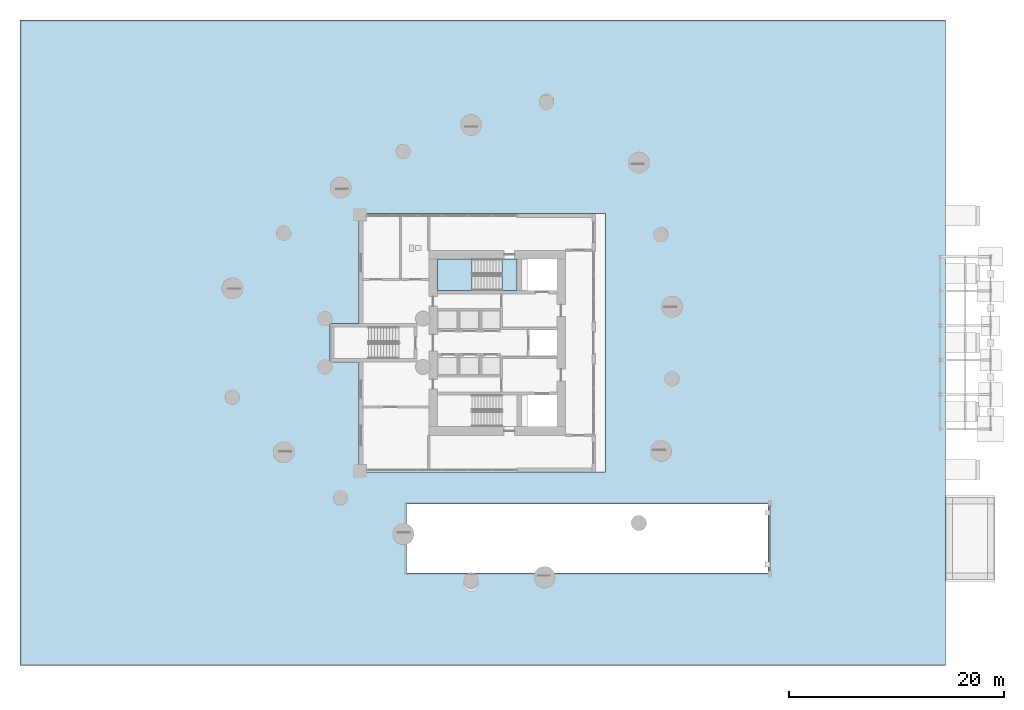
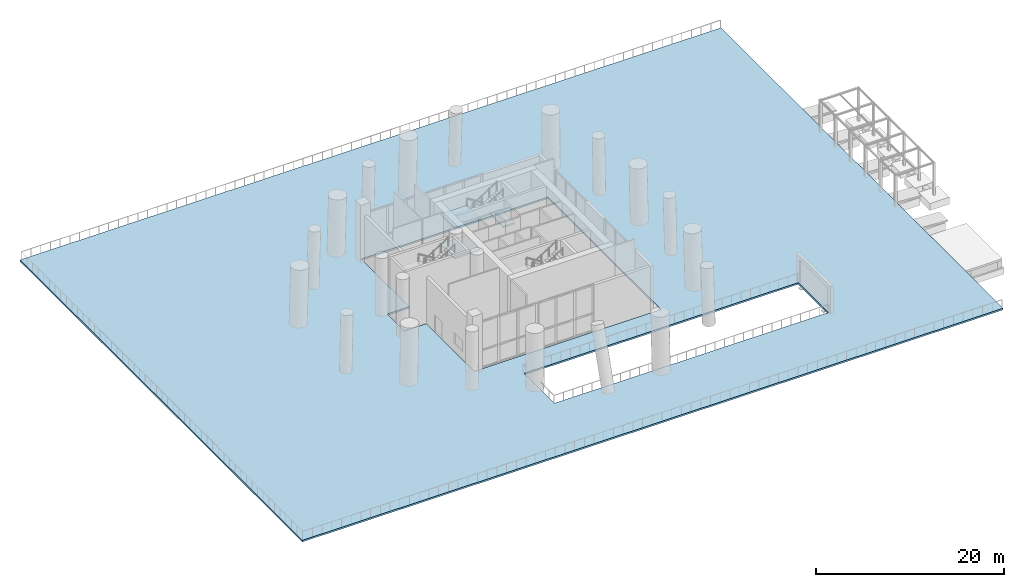
# One storey, part 6 of 16: 4 slabs, 1 element without a shape of its own.
"""IFC4 building model written with IfcOpenShell, lengths in metres."""

from ifc_helpers import new_model, si_unit, direction, frame, origin, place, context, subcontext, project, spatial, polyline, outline, extrude, material, layer, layer_set, type_object, element, aggregate, save


model = new_model("IFC4")

# Units and contexts
model_context = context("Model", 3, precision=1e-05, world=origin(), true_north=direction((0.0, 1.0)))
body_context = subcontext(model_context, "Body", "Model", "MODEL_VIEW")
ifc_project = project(units=[si_unit("LENGTHUNIT", "METRE"), si_unit("AREAUNIT", "SQUARE_METRE"), si_unit("VOLUMEUNIT", "CUBIC_METRE"), si_unit("PLANEANGLEUNIT", "RADIAN"), si_unit("MASSUNIT", "GRAM", prefix="KILO")], contexts=[model_context])

# Site, building, storey
site_placement = place(None, origin())
site = spatial("IfcSite", under=ifc_project, at=site_placement, CompositionType="ELEMENT")
building_placement = place(site_placement, origin())
building = spatial("IfcBuilding", under=site, at=building_placement, Name="Qafzar Sky-Pleat Residences", CompositionType="ELEMENT")
storey_placement = place(building_placement, origin())
storey = spatial("IfcBuildingStorey", under=building, at=storey_placement, Name="L00", CompositionType="ELEMENT", Elevation=0.0)

# Stair, slabs
ifc_material = material(Name="Concrete C40/50", Category="concrete")
stair_type = type_object("IfcStairType", Name="STAIR-H780", PredefinedType="HALF_TURN_STAIR", material=ifc_material)
stair_placement = place(storey_placement, origin())
stair = element("IfcStair", 1, at=stair_placement, inside=storey, type_object=stair_type, Name="L00 Protected Exit Stair ST2", PredefinedType="HALF_TURN_STAIR")
ifc_layer_1 = layer(ifc_material, 0.199951171875)
ifc_layer_set_1 = layer_set([ifc_layer_1], Name="Concrete C40/50")
slab_type_1 = type_object("IfcSlabType", Name="SLAB-LANDING-200", PredefinedType="LANDING", material=ifc_layer_set_1)
slab_1_placement = place(storey_placement, frame((0.0, 0.0, 1.75)))
slab_1 = element("IfcSlab", 2, at=slab_1_placement, type_object=slab_type_1, Name="ST2 landing 1", PredefinedType="LANDING", context=body_context, shape_type="SweptSolid", body=[
    extrude(outline(polyline([(28.0, 33.800048828125), (24.800048828125, 33.800048828125), (24.800048828125, 30.85009765625), (28.0, 30.85009765625), (28.0, 33.800048828125)])), origin(), (0.0, 0.0, 1.0), 0.199951171875),
])
slab_2_placement = place(storey_placement, frame((0.0, 0.0, 3.699951171875)))
slab_2 = element("IfcSlab", 3, at=slab_2_placement, type_object=slab_type_1, Name="ST2 landing 2", PredefinedType="LANDING", context=body_context, shape_type="SweptSolid", body=[
    extrude(outline(polyline([(32.199951171875, 33.800048828125), (30.800048828125, 33.800048828125), (30.800048828125, 30.85009765625), (32.199951171875, 30.85009765625), (32.199951171875, 33.800048828125)])), origin(), (0.0, 0.0, 1.0), 0.199951171875),
])
slab_3_placement = place(storey_placement, frame((0.0, 0.0, 5.64990234375)))
slab_3 = element("IfcSlab", 4, at=slab_3_placement, type_object=slab_type_1, Name="ST2 landing 3", PredefinedType="LANDING", context=body_context, shape_type="SweptSolid", body=[
    extrude(outline(polyline([(28.0, 33.800048828125), (24.800048828125, 33.800048828125), (24.800048828125, 30.85009765625), (28.0, 30.85009765625), (28.0, 33.800048828125)])), origin(), (0.0, 0.0, 1.0), 0.2001953125),
])
aggregate(stair, [slab_1, slab_2, slab_3])

# Slab
ifc_layer_2 = layer(ifc_material, 0.215087890625)
ifc_layer_set_2 = layer_set([ifc_layer_2], Name="Concrete C40/50")
slab_type_2 = type_object("IfcSlabType", Name="SLAB-PAV-215", PredefinedType="USERDEFINED", material=ifc_layer_set_2)
slab_4_placement = place(storey_placement, frame((0.0, 0.0, -0.215087890625)))
element("IfcSlab", 5, at=slab_4_placement, inside=storey, type_object=slab_type_2, Name="L00 Shaded Pilotis Wadi Plaza Paving", ObjectType="PAVING", PredefinedType="USERDEFINED", context=body_context, shape_type="SweptSolid", body=[
    extrude(outline(polyline([(-14.0, -4.0), (72.0, -4.0), (72.0, 56.0), (-14.0, 56.0), (-14.0, -4.0)]), holes=[polyline([(17.489990234375, 38.010009765625), (40.409912109375, 38.010009765625), (40.409912109375, 13.989990234375), (17.489990234375, 13.989990234375), (17.489990234375, 24.18994140625), (14.7900390625, 24.18994140625), (14.7900390625, 27.81005859375), (17.489990234375, 27.81005859375), (17.489990234375, 38.010009765625)]), polyline([(21.89990234375, 4.60009765625), (55.5, 4.60009765625), (55.5, 11.0), (21.89990234375, 11.0), (21.89990234375, 4.60009765625)])]), origin(), (0.0, 0.0, 1.0), 0.215087890625),
])

save(model, "model.ifc")
